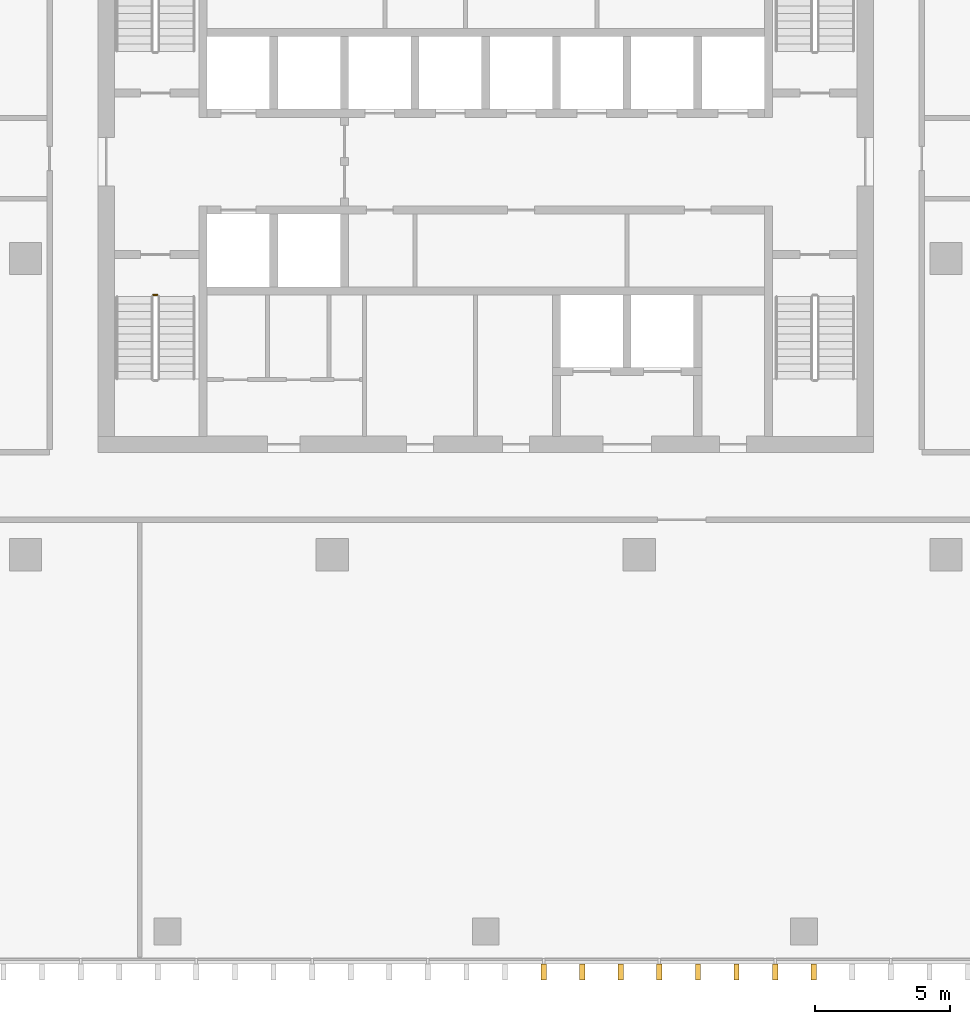
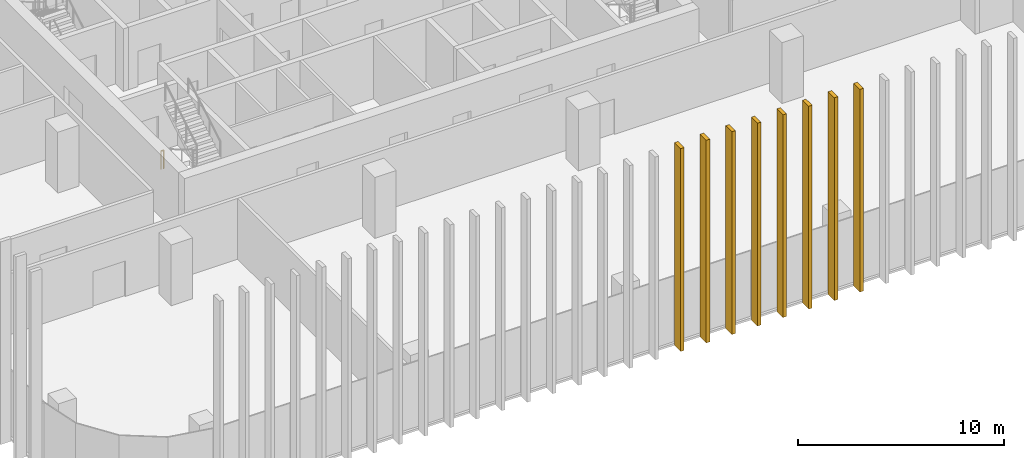
# One storey, part 12 of 16: 8 shading devices, 1 railing.
"""IFC4 building model written with IfcOpenShell, lengths in metres."""

from ifc_helpers import new_model, si_unit, direction, frame, origin, origin_2d, place, context, subcontext, project, spatial, rectangle, circle, extrude, material, type_object, element, save


model = new_model("IFC4")

# Units and contexts
model_context = context("Model", 3, precision=1e-05, world=origin(), true_north=direction((0.0, 1.0)))
body_context = subcontext(model_context, "Body", "Model", "MODEL_VIEW")
ifc_project = project(units=[si_unit("LENGTHUNIT", "METRE"), si_unit("AREAUNIT", "SQUARE_METRE"), si_unit("VOLUMEUNIT", "CUBIC_METRE"), si_unit("PLANEANGLEUNIT", "RADIAN"), si_unit("MASSUNIT", "GRAM", prefix="KILO")], contexts=[model_context])

# Site, building, storey
site_placement = place(None, origin())
site = spatial("IfcSite", under=ifc_project, at=site_placement, CompositionType="ELEMENT")
building_placement = place(site_placement, origin())
building = spatial("IfcBuilding", under=site, at=building_placement, Name="Mopane Tessera Tower", CompositionType="ELEMENT")
storey_placement = place(building_placement, frame((0.0, 0.0, 279.39990234375)))
storey = spatial("IfcBuildingStorey", under=building, at=storey_placement, Name="L60", CompositionType="ELEMENT", Elevation=279.39990234375)

# Shading devices
ifc_material_1 = material(Name="Glazed ceramic tile")
shading_device_type = type_object("IfcShadingDeviceType", Name="Ceramic tile fin 600 x 200 mm", PredefinedType="USERDEFINED", material=ifc_material_1)
for number, where, z_axis, x_axis, name in (
    (1, (2.14990234375, -26.5, -0.39990234375), (0.0, 0.0, 1.0), (1.0, 0.0, 0.0), "e:fin:L60:S:6:0"),
    (2, (3.583251953125, -26.5, -0.39990234375), (0.0, 0.0, 1.0), (1.0, 0.0, 0.0), "e:fin:L60:S:6:1"),
    (3, (5.0166015625, -26.5, -0.39990234375), (0.0, 0.0, 1.0), (1.0, 0.0, 0.0), "e:fin:L60:S:6:2"),
    (4, (6.449951171875, -26.5, -0.39990234375), (0.0, 0.0, 1.0), (1.0, 0.0, 0.0), "e:fin:L60:S:7:0"),
    (5, (7.88330078125, -26.5, -0.39990234375), (0.0, 0.0, 1.0), (1.0, 0.0, 0.0), "e:fin:L60:S:7:1"),
    (6, (9.316650390625, -26.5, -0.39990234375), (0.0, 0.0, 1.0), (1.0, 0.0, 0.0), "e:fin:L60:S:7:2"),
    (7, (10.75, -26.5, -0.39990234375), (0.0, 0.0, 1.0), (1.0, 0.0, 0.0), "e:fin:L60:S:8:0"),
    (8, (12.183349609375, -26.5, -0.39990234375), (0.0, 0.0, 1.0), (1.0, 0.0, 0.0), "e:fin:L60:S:8:1"),
):
    element("IfcShadingDevice", number, at=place(storey_placement, frame(where, z_axis=z_axis, x_axis=x_axis)), inside=storey, type_object=shading_device_type, Name=name, ObjectType="FIN", PredefinedType="USERDEFINED", context=body_context, shape_type="SweptSolid", body=[
        extrude(rectangle(XDim=0.199951171875, YDim=0.60009765625, at=origin_2d()), origin(), (0.0, 0.0, 1.0), 12.0),
    ])

# Railing
ifc_material_2 = material(Name="Powder-coated steel balustrade", Category="steel")
railing_type = type_object("IfcRailingType", Name="Escape stair guard 1100 mm", PredefinedType="GUARDRAIL", material=ifc_material_2)
railing_placement = place(storey_placement, frame((-12.35009765625, -1.35009765625, 0.0)))
element("IfcRailing", 9, at=railing_placement, inside=storey, type_object=railing_type, Name="L60 ST1 stair guard 3", PredefinedType="GUARDRAIL", context=body_context, shape_type="SweptSolid", body=[
    extrude(circle(Radius=0.02392578125, at=origin_2d()), frame((0.0, 0.0, 1.076171875), z_axis=(1.0, 0.0, 0.0), x_axis=(0.0, 1.0, 0.0)), (0.0, 0.0, 1.0), 0.150146484375),
    extrude(circle(Radius=0.02099609375, at=origin_2d()), origin(), (0.0, 0.0, 1.0), 1.052001953125),
    extrude(circle(Radius=0.02099609375, at=origin_2d()), frame((0.150146484375, 0.0, 0.0)), (0.0, 0.0, 1.0), 1.052001953125),
])

save(model, "model.ifc")
